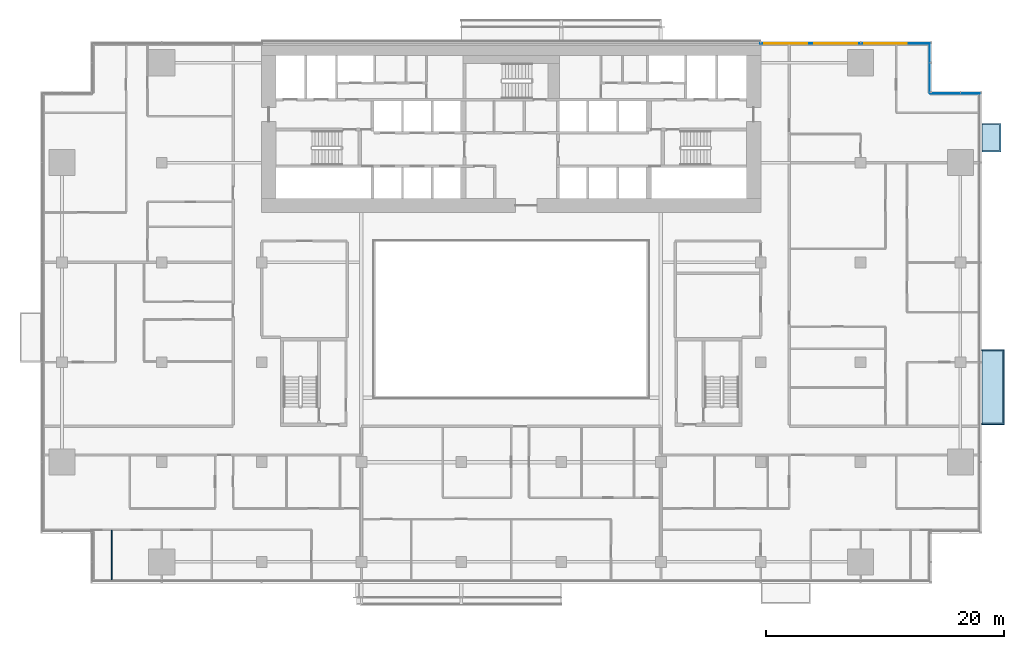
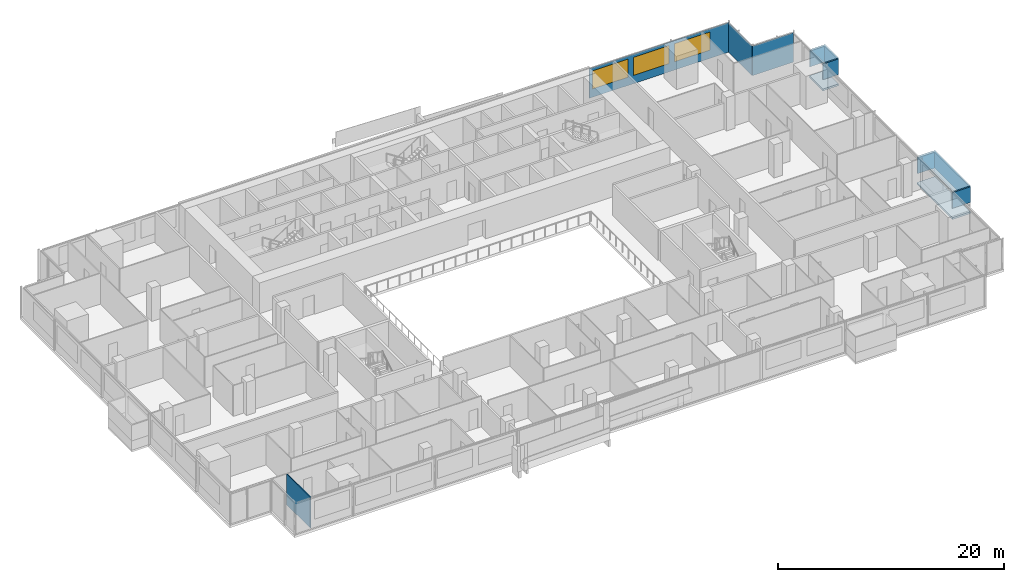
# One storey, part 16 of 26: 7 plates, 3 windows, 2 slabs, 1 wall, 3 openings, 3 elements without a shape of their own.
"""IFC4 building model written with IfcOpenShell, lengths in metres."""

from ifc_helpers import new_model, si_unit, direction, frame, frame_2d, origin, place, context, subcontext, project, spatial, polyline, rectangle, outline, extrude, material, layer, layer_set, type_object, element, fill, aggregate, save


model = new_model("IFC4")

# Units and contexts
model_context = context("Model", 3, precision=1e-05, world=origin(), true_north=direction((0.0, 1.0)))
body_context = subcontext(model_context, "Body", "Model", "MODEL_VIEW")
ifc_project = project(units=[si_unit("LENGTHUNIT", "METRE"), si_unit("AREAUNIT", "SQUARE_METRE"), si_unit("VOLUMEUNIT", "CUBIC_METRE"), si_unit("PLANEANGLEUNIT", "RADIAN"), si_unit("MASSUNIT", "GRAM", prefix="KILO")], contexts=[model_context])

# Site, building, storey
site_placement = place(None, origin())
site = spatial("IfcSite", under=ifc_project, at=site_placement, CompositionType="ELEMENT")
building_placement = place(site_placement, origin())
building = spatial("IfcBuilding", under=site, at=building_placement, Name="Saffron Gate Tower", CompositionType="ELEMENT")
storey_placement = place(building_placement, frame((0.0, 0.0, 62.39990234375)))
storey = spatial("IfcBuildingStorey", under=building, at=storey_placement, Name="L14", CompositionType="ELEMENT", Elevation=62.39990234375)

# Curtain wall, plate, openings, windows
ifc_material_1 = material(Name="Aluminium, bronze anodised", Category="aluminium")
curtain_wall_type_1 = type_object("IfcCurtainWallType", Name="CWS3 curtain wall rear facade", PredefinedType="NOTDEFINED", material=ifc_material_1)
curtain_wall_1_placement = place(storey_placement, origin())
curtain_wall_1 = element("IfcCurtainWall", 1, at=curtain_wall_1_placement, inside=storey, type_object=curtain_wall_type_1, Name="CWS3 run 7", PredefinedType="NOTDEFINED")
ifc_material_2 = material(Name="Fritted grey-tinted laminated glass", Category="glass")
ifc_layer_1 = layer(ifc_material_2, 0.028076171875)
ifc_layer_set_1 = layer_set([ifc_layer_1], Name="CWS3 fixed glass")
plate_type_1 = type_object("IfcPlateType", Name="CWS3 fixed glass", PredefinedType="CURTAIN_PANEL", material=ifc_layer_set_1)
plate_1_placement = place(storey_placement, frame((122.81201171875, 75.426025390625, 0.0), z_axis=(0.0, 0.0, 1.0), x_axis=(-1.0, 0.0, 0.0)))
plate_1 = element("IfcPlate", 2, at=plate_1_placement, type_object=plate_type_1, Name="CWS3 glass panel", PredefinedType="CURTAIN_PANEL", context=body_context, shape_type="SweptSolid", body=[
    extrude(rectangle(XDim=14.2470703125, YDim=0.028076171875, at=frame_2d((7.12353515625, 0.0))), origin(), (0.0, 0.0, 1.0), 3.2001953125),
])
opening_1_placement = place(plate_1_placement, frame((1.912109375, 0.0, 0.89990234375)))
opening_1 = element("IfcOpeningElement", 3, at=opening_1_placement, cuts=plate_1, Name="Opening W1", PredefinedType="OPENING", context=body_context, shape_type="SweptSolid", body=[
    extrude(rectangle(XDim=3.60009765625, YDim=1.949951171875, at=frame_2d((1.800048828125, 0.97509765625))), frame((0.0, 0.02392578125, 0.0), z_axis=(0.0, -1.0, 0.0), x_axis=(1.0, 0.0, 0.0)), (0.0, 0.0, 1.0), 0.048095703125),
])
opening_2_placement = place(plate_1_placement, frame((6.112060546875, 0.0, 0.89990234375)))
opening_2 = element("IfcOpeningElement", 4, at=opening_2_placement, cuts=plate_1, Name="Opening W1", PredefinedType="OPENING", context=body_context, shape_type="SweptSolid", body=[
    extrude(rectangle(XDim=3.60009765625, YDim=1.949951171875, at=frame_2d((1.800048828125, 0.97509765625))), frame((0.0, 0.02392578125, 0.0), z_axis=(0.0, -1.0, 0.0), x_axis=(1.0, 0.0, 0.0)), (0.0, 0.0, 1.0), 0.048095703125),
])
opening_3_placement = place(plate_1_placement, frame((10.31201171875, 0.0, 0.89990234375)))
opening_3 = element("IfcOpeningElement", 5, at=opening_3_placement, cuts=plate_1, Name="Opening W1", PredefinedType="OPENING", context=body_context, shape_type="SweptSolid", body=[
    extrude(rectangle(XDim=3.60009765625, YDim=1.949951171875, at=frame_2d((1.800048828125, 0.97509765625))), frame((0.0, 0.02392578125, 0.0), z_axis=(0.0, -1.0, 0.0), x_axis=(1.0, 0.0, 0.0)), (0.0, 0.0, 1.0), 0.048095703125),
])
ifc_material_3 = material(Name="Fritted bronze-tinted laminated glass in bronze frame", Category="glass")
ifc_layer_2 = layer(ifc_material_3, 0.06005859375)
ifc_layer_set_2 = layer_set([ifc_layer_2], Name="W1 operable panel 3600x1950")
window_type = type_object("IfcWindowType", Name="W1 operable panel 3600x1950", PartitioningType="DOUBLE_PANEL_HORIZONTAL", PredefinedType="WINDOW", material=ifc_layer_set_2)
window_1_placement = place(opening_1_placement, origin())
window_1 = element("IfcWindow", 6, at=window_1_placement, type_object=window_type, Name="W1 operable panel", OverallHeight=1.949951171875, OverallWidth=3.60009765625, PartitioningType="SINGLE_PANEL", PredefinedType="WINDOW", context=body_context, shape_type="SweptSolid", body=[
    extrude(rectangle(XDim=3.60009765625, YDim=1.949951171875, at=frame_2d((1.800048828125, 0.97509765625))), frame((0.0, 0.013671875, 0.0), z_axis=(0.0, -1.0, 0.0), x_axis=(1.0, 0.0, 0.0)), (0.0, 0.0, 1.0), 0.027587890625),
])
fill(opening_1, window_1)
window_2_placement = place(opening_2_placement, origin())
window_2 = element("IfcWindow", 7, at=window_2_placement, type_object=window_type, Name="W1 operable panel", OverallHeight=1.949951171875, OverallWidth=3.60009765625, PartitioningType="SINGLE_PANEL", PredefinedType="WINDOW", context=body_context, shape_type="SweptSolid", body=[
    extrude(rectangle(XDim=3.60009765625, YDim=1.949951171875, at=frame_2d((1.800048828125, 0.97509765625))), frame((0.0, 0.013671875, 0.0), z_axis=(0.0, -1.0, 0.0), x_axis=(1.0, 0.0, 0.0)), (0.0, 0.0, 1.0), 0.027587890625),
])
fill(opening_2, window_2)
window_3_placement = place(opening_3_placement, origin())
window_3 = element("IfcWindow", 8, at=window_3_placement, type_object=window_type, Name="W1 operable panel", OverallHeight=1.949951171875, OverallWidth=3.60009765625, PartitioningType="SINGLE_PANEL", PredefinedType="WINDOW", context=body_context, shape_type="SweptSolid", body=[
    extrude(rectangle(XDim=3.60009765625, YDim=1.949951171875, at=frame_2d((1.800048828125, 0.97509765625))), frame((0.0, 0.013671875, 0.0), z_axis=(0.0, -1.0, 0.0), x_axis=(1.0, 0.0, 0.0)), (0.0, 0.0, 1.0), 0.027587890625),
])
fill(opening_3, window_3)
aggregate(curtain_wall_1, [plate_1, window_1, window_2, window_3])

# Curtain wall, plate
curtain_wall_type_2 = type_object("IfcCurtainWallType", Name="CWS4 curtain wall corner returns", PredefinedType="NOTDEFINED", material=ifc_material_1)
curtain_wall_2_placement = place(storey_placement, origin())
curtain_wall_2 = element("IfcCurtainWall", 9, at=curtain_wall_2_placement, inside=storey, type_object=curtain_wall_type_2, Name="CWS4 run 5", PredefinedType="NOTDEFINED")
ifc_material_4 = material(Name="Fritted bronze-tinted laminated glass", Category="glass")
ifc_layer_3 = layer(ifc_material_4, 0.028076171875)
ifc_layer_set_3 = layer_set([ifc_layer_3], Name="CWS4 fixed glass")
plate_type_2 = type_object("IfcPlateType", Name="CWS4 fixed glass", PredefinedType="CURTAIN_PANEL", material=ifc_layer_set_3)
plate_2_placement = place(storey_placement, frame((127.011962890625, 71.22607421875, 0.0), z_axis=(0.0, 0.0, 1.0), x_axis=(-1.0, 0.0, 0.0)))
plate_2 = element("IfcPlate", 10, at=plate_2_placement, type_object=plate_type_2, Name="CWS4 glass panel", PredefinedType="CURTAIN_PANEL", context=body_context, shape_type="SweptSolid", body=[
    extrude(rectangle(XDim=4.171875, YDim=0.028076171875, at=frame_2d((2.0859375, 0.0))), origin(), (0.0, 0.0, 1.0), 3.2001953125),
])
aggregate(curtain_wall_2, [plate_2])

curtain_wall_3_placement = place(storey_placement, origin())
curtain_wall_3 = element("IfcCurtainWall", 11, at=curtain_wall_3_placement, inside=storey, type_object=curtain_wall_type_2, Name="CWS4 run 6", PredefinedType="NOTDEFINED")
plate_3_placement = place(storey_placement, frame((122.825927734375, 71.239990234375, 0.0), z_axis=(0.0, 0.0, 1.0), x_axis=(0.0, 1.0, 0.0)))
plate_3 = element("IfcPlate", 12, at=plate_3_placement, type_object=plate_type_2, Name="CWS4 glass panel", PredefinedType="CURTAIN_PANEL", context=body_context, shape_type="SweptSolid", body=[
    extrude(rectangle(XDim=4.172119140625, YDim=0.028076171875, at=frame_2d((2.0859375, 0.0))), origin(), (0.0, 0.0, 1.0), 3.2001953125),
])
aggregate(curtain_wall_3, [plate_3])

# Slabs
ifc_material_5 = material(Name="Timber deck on bronze frame", Category="wood")
ifc_layer_4 = layer(ifc_material_5, 0.199951171875)
ifc_layer_set_4 = layer_set([ifc_layer_4], Name="WB1 box floor")
slab_type = type_object("IfcSlabType", Name="WB1 box floor", PredefinedType="FLOOR", material=ifc_layer_set_4)
slab_1_placement = place(storey_placement, frame((0.0, 0.0, -0.199951171875)))
element("IfcSlab", 13, at=slab_1_placement, inside=storey, type_object=slab_type, Name="WINDOW BOX floor", PredefinedType="FLOOR", context=body_context, shape_type="SweptSolid", body=[
    extrude(outline(polyline([(127.199951171875, 43.35009765625), (127.199951171875, 49.64990234375), (129.06689453125, 49.64990234375), (129.06689453125, 43.35009765625), (127.199951171875, 43.35009765625)])), origin(), (0.0, 0.0, 1.0), 0.199951171875),
])
slab_2_placement = place(storey_placement, frame((0.0, 0.0, -0.199951171875)))
element("IfcSlab", 14, at=slab_2_placement, inside=storey, type_object=slab_type, Name="WINDOW BOX floor", PredefinedType="FLOOR", context=body_context, shape_type="SweptSolid", body=[
    extrude(outline(polyline([(127.199951171875, 66.300048828125), (127.199951171875, 68.699951171875), (128.800048828125, 68.699951171875), (128.800048828125, 66.300048828125), (127.199951171875, 66.300048828125)])), origin(), (0.0, 0.0, 1.0), 0.199951171875),
])

# Plates
ifc_layer_5 = layer(ifc_material_1, 0.1201171875)
ifc_layer_set_5 = layer_set([ifc_layer_5], Name="WB2 box roof")
plate_type_3 = type_object("IfcPlateType", Name="WB2 box roof", PredefinedType="SHEET", material=ifc_layer_set_5)
plate_4_placement = place(storey_placement, frame((0.0, 0.0, 2.7001953125)))
element("IfcPlate", 15, at=plate_4_placement, inside=storey, type_object=plate_type_3, Name="WINDOW BOX roof", PredefinedType="SHEET", context=body_context, shape_type="SweptSolid", body=[
    extrude(outline(polyline([(127.199951171875, 43.35009765625), (127.199951171875, 49.64990234375), (129.06689453125, 49.64990234375), (129.06689453125, 43.35009765625), (127.199951171875, 43.35009765625)])), origin(), (0.0, 0.0, 1.0), 0.119873046875),
])
plate_5_placement = place(storey_placement, frame((0.0, 0.0, 2.7001953125)))
element("IfcPlate", 16, at=plate_5_placement, inside=storey, type_object=plate_type_3, Name="WINDOW BOX roof", PredefinedType="SHEET", context=body_context, shape_type="SweptSolid", body=[
    extrude(outline(polyline([(127.199951171875, 66.300048828125), (127.199951171875, 68.699951171875), (128.800048828125, 68.699951171875), (128.800048828125, 66.300048828125), (127.199951171875, 66.300048828125)])), origin(), (0.0, 0.0, 1.0), 0.119873046875),
])
ifc_material_6 = material(Name="Clear low-iron laminated glass", Category="glass")
ifc_layer_6 = layer(ifc_material_6, 0.10009765625)
ifc_layer_set_6 = layer_set([ifc_layer_6], Name="WB6 box glazing")
plate_type_4 = type_object("IfcPlateType", Name="WB6 box glazing", PredefinedType="SHEET", material=ifc_layer_set_6)
plate_6_placement = place(storey_placement, frame((0.0, 0.0, 1.0)))
element("IfcPlate", 17, at=plate_6_placement, inside=storey, type_object=plate_type_4, Name="WINDOW BOX glazing", PredefinedType="SHEET", context=body_context, shape_type="SweptSolid", body=[
    extrude(outline(polyline([(127.199951171875, 43.35009765625), (127.199951171875, 43.449951171875), (128.967041015625, 43.449951171875), (128.967041015625, 49.550048828125), (127.199951171875, 49.550048828125), (127.199951171875, 49.64990234375), (129.06689453125, 49.64990234375), (129.06689453125, 43.35009765625), (127.199951171875, 43.35009765625)])), origin(), (0.0, 0.0, 1.0), 1.7001953125),
])
plate_7_placement = place(storey_placement, frame((0.0, 0.0, 1.0)))
element("IfcPlate", 18, at=plate_7_placement, inside=storey, type_object=plate_type_4, Name="WINDOW BOX glazing", PredefinedType="SHEET", context=body_context, shape_type="SweptSolid", body=[
    extrude(outline(polyline([(127.199951171875, 66.300048828125), (127.199951171875, 66.39990234375), (128.699951171875, 66.39990234375), (128.699951171875, 68.60009765625), (127.199951171875, 68.60009765625), (127.199951171875, 68.699951171875), (128.800048828125, 68.699951171875), (128.800048828125, 66.300048828125), (127.199951171875, 66.300048828125)])), origin(), (0.0, 0.0, 1.0), 1.7001953125),
])

# Wall
ifc_material_7 = material(Name="Plasterboard on steel studs", Category="steel")
ifc_layer_7 = layer(ifc_material_7, 0.10009765625)
ifc_layer_set_7 = layer_set([ifc_layer_7], Name="PW1 Partition 100")
wall_type = type_object("IfcWallType", Name="PW1 Partition 100", PredefinedType="PARTITIONING", material=ifc_layer_set_7)
wall_placement = place(storey_placement, frame((54.0, 34.449951171875, 0.0), z_axis=(0.0, 0.0, 1.0), x_axis=(0.0, -1.0, 0.0)))
element("IfcWall", 19, at=wall_placement, inside=storey, type_object=wall_type, Name="Partition A3-51", PredefinedType="PARTITIONING", context=body_context, shape_type="SweptSolid", body=[
    extrude(rectangle(XDim=4.169921875, YDim=0.10009765625, at=frame_2d((2.0849609375, 0.0))), origin(), (0.0, 0.0, 1.0), 3.320068359375),
])

save(model, "model.ifc")
